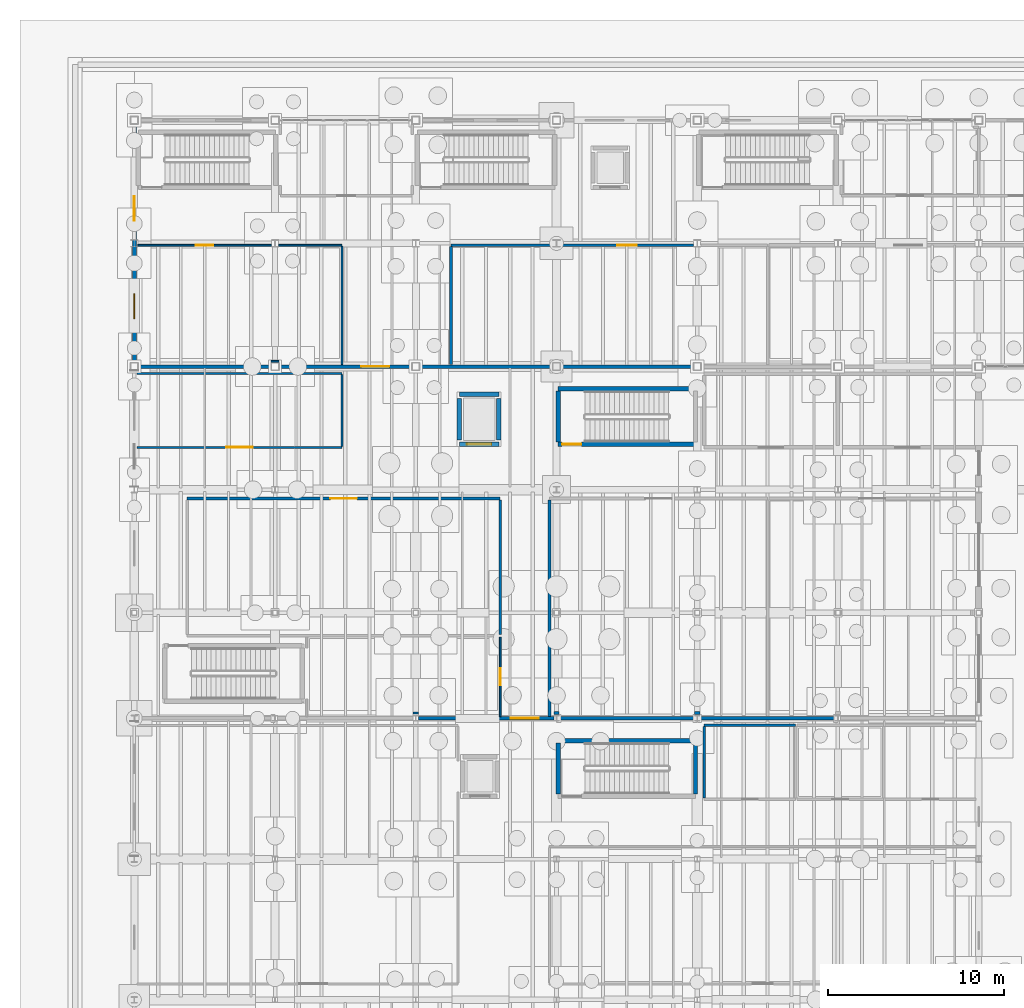
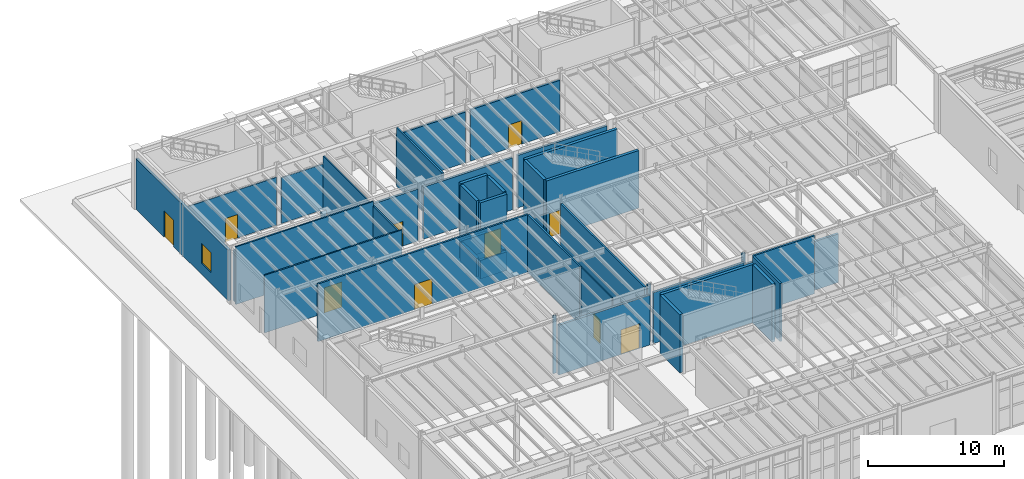
# One storey, part 61 of 86: 41 walls, 10 doors, 1 window, 11 openings.
"""IFC4 building model written with IfcOpenShell, lengths in metres."""

import ifcopenshell
import ifcopenshell.guid

model = None  # the IFC model being written
_history = None  # IfcOwnerHistory: only IFC2X3 demands one
_inside = {}  # id of a spatial element -> (the spatial element, [elements in it])
_under = {}  # id of a project, library or spatial element -> (it, [spatial elements below it])
_declared = {}  # id of a project -> (the project, [libraries it declares])
_typed = {}  # id of a type object -> (the type object, [elements of that type])
_made_of = {}  # id of a material, layer set ... -> (it, [elements and type objects made of it])


def new_model(schema):
    """Start an empty IFC model of exactly this schema.

    Asked for "IFC4X3", IfcOpenShell would pick the latest addendum, in which some entities
    have other attributes; the version numbers below select the first issue.
    IFC2X3 requires an IfcOwnerHistory on every rooted entity: one is made here for all.
    """
    global model, _history
    if schema == "IFC4X3":
        model = ifcopenshell.file(schema_version=(4, 3, 0, 0))
    else:
        model = ifcopenshell.file(schema=schema)
    _inside.clear()
    _under.clear()
    _declared.clear()
    _typed.clear()
    _made_of.clear()
    _history = None
    if model.schema == "IFC2X3":
        org = make("IfcOrganization", Name="unknown")
        user = make(
            "IfcPersonAndOrganization",
            ThePerson=make("IfcPerson", FamilyName="unknown"),
            TheOrganization=org,
        )
        app = make(
            "IfcApplication",
            ApplicationDeveloper=org,
            Version="unknown",
            ApplicationFullName="unknown",
            ApplicationIdentifier="unknown",
        )
        _history = make(
            "IfcOwnerHistory",
            OwningUser=user,
            OwningApplication=app,
            ChangeAction="ADDED",
            CreationDate=0,
        )
    return model


def make(cls, **values):
    """One entity of the class cls with the attributes given. An attribute that is None is left unset."""
    return model.create_entity(
        cls, **{name: value for name, value in values.items() if value is not None}
    )


def rooted(cls, **values):
    """An entity with a GlobalId (a new one), such as an element, a storey or a relation."""
    return make(cls, GlobalId=ifcopenshell.guid.new(), OwnerHistory=_history, **values)


def si_unit(unit_type, name, prefix=None):
    """IfcSIUnit, for example si_unit("LENGTHUNIT", "METRE", prefix="MILLI")."""
    return make("IfcSIUnit", UnitType=unit_type, Prefix=prefix, Name=name)


def assignment(units):
    """IfcUnitAssignment: the units of a project."""
    return None if units is None else make("IfcUnitAssignment", Units=units)


def point(xyz):
    """IfcCartesianPoint."""
    return None if xyz is None else make("IfcCartesianPoint", Coordinates=xyz)


def direction(xyz):
    """IfcDirection."""
    return None if xyz is None else make("IfcDirection", DirectionRatios=xyz)


def frame(location, z_axis=None, x_axis=None):
    """IfcAxis2Placement3D, a coordinate frame: its origin and axes. An axis left out is left unset."""
    return make(
        "IfcAxis2Placement3D",
        Location=point(location),
        Axis=direction(z_axis),
        RefDirection=direction(x_axis),
    )


def frame_2d(location, x_axis=None):
    """IfcAxis2Placement2D, a coordinate frame in the plane: its origin and x axis."""
    return make(
        "IfcAxis2Placement2D", Location=point(location), RefDirection=direction(x_axis)
    )


def origin():
    """The frame at (0, 0, 0) with its axes left unset."""
    return frame((0.0, 0.0, 0.0))


def place(relative_to, where):
    """IfcLocalPlacement: puts the frame where relative to a parent placement (None: the world)."""
    return make(
        "IfcLocalPlacement", PlacementRelTo=relative_to, RelativePlacement=where
    )


def context(
    kind, dimensions, precision=None, world=None, true_north=None, identifier=None
):
    """IfcGeometricRepresentationContext, for example the 3D "Model" context."""
    return make(
        "IfcGeometricRepresentationContext",
        ContextIdentifier=identifier,
        ContextType=kind,
        CoordinateSpaceDimension=dimensions,
        Precision=precision,
        WorldCoordinateSystem=world,
        TrueNorth=true_north,
    )


def subcontext(parent, identifier, kind, view, scale=None):
    """IfcGeometricRepresentationSubContext, for example "Body" below "Model"."""
    return make(
        "IfcGeometricRepresentationSubContext",
        ContextIdentifier=identifier,
        ContextType=kind,
        ParentContext=parent,
        TargetScale=scale,
        TargetView=view,
    )


def project(units=None, contexts=None):
    """IfcProject with its units and contexts."""
    return rooted(
        "IfcProject",
        Name="project",
        RepresentationContexts=contexts,
        UnitsInContext=assignment(units),
    )


def spatial(cls, under=None, at=None, **own):
    """A site, building, storey or space (cls), placed at a placement, below another one or the project."""
    s = rooted(cls, ObjectPlacement=at, **own)
    if under is not None:
        _under.setdefault(under.id(), (under, []))[1].append(s)
    return s


def profile(cls, at=None, kind="AREA", **sizes):
    """A parametric profile (cls). Its sizes go by their IFC names, for example OverallWidth=200.0."""
    return make(cls, ProfileType=kind, Position=at, **sizes)


def rectangle(**sizes):
    """IfcRectangleProfileDef."""
    return profile("IfcRectangleProfileDef", **sizes)


def extrude(swept, where, along, depth):
    """IfcExtrudedAreaSolid: the profile swept, set in the frame where, extruded along a direction by depth."""
    return make(
        "IfcExtrudedAreaSolid",
        SweptArea=swept,
        Position=where,
        ExtrudedDirection=direction(along),
        Depth=depth,
    )


def shape(context_of_items, identifier, shape_type, items):
    """IfcShapeRepresentation: the items that make up one representation, for example the "Body"."""
    return make(
        "IfcShapeRepresentation",
        ContextOfItems=context_of_items,
        RepresentationIdentifier=identifier,
        RepresentationType=shape_type,
        Items=items,
    )


def material(Name=None, Category=None):
    """IfcMaterial."""
    return make("IfcMaterial", Name=Name, Category=Category)


def layer(
    of_material, thickness, ventilated=None, Name=None, Category=None, Priority=None
):
    """IfcMaterialLayer: one layer of a wall or slab, of a material (None: an air gap)."""
    return make(
        "IfcMaterialLayer",
        Material=of_material,
        LayerThickness=thickness,
        IsVentilated=ventilated,
        Name=Name,
        Category=Category,
        Priority=Priority,
    )


def layer_set(layers, Name=None):
    """IfcMaterialLayerSet."""
    return make("IfcMaterialLayerSet", MaterialLayers=layers, LayerSetName=Name)


def made_of(thing, what):
    """Note that an element or type object is made of a material, layer set ...; save() writes the relation."""
    if what is not None:
        _made_of.setdefault(what.id(), (what, []))[1].append(thing)
    return thing


def type_object(cls, material=None, **own):
    """A type object (cls), such as IfcWallType, which elements share."""
    return made_of(rooted(cls, **own), material)


def element(
    cls,
    number,
    at=None,
    inside=None,
    cuts=None,
    type_object=None,
    material=None,
    context=None,
    identifier="Body",
    shape_type=None,
    held_by="IfcProductDefinitionShape",
    body=None,
    shapes=None,
    **own,
):
    """One element of the class cls, such as IfcWall. Its Tag is "e" and its number.

    at: its placement. inside: the storey or other place that contains it. cuts: it is an
    opening in that element (IfcRelVoidsElement). A single representation is given by context,
    identifier, shape_type and body (its items); several are given by shapes. held_by: the class
    of the entity that holds the representations. save() writes the other relations.
    """
    e = rooted(cls, Tag="e%d" % number, ObjectPlacement=at, **own)
    if body is not None:
        shapes = [shape(context, identifier, shape_type, body)]
    if shapes is not None:
        e.Representation = make(held_by, Representations=shapes)
    if inside is not None:
        _inside.setdefault(inside.id(), (inside, []))[1].append(e)
    if cuts is not None:
        rooted(
            "IfcRelVoidsElement", RelatingBuildingElement=cuts, RelatedOpeningElement=e
        )
    if type_object is not None:
        _typed.setdefault(type_object.id(), (type_object, []))[1].append(e)
    return made_of(e, material)


def fill(opening, filler):
    """IfcRelFillsElement: the door or window that sits in an opening."""
    return rooted(
        "IfcRelFillsElement",
        RelatingOpeningElement=opening,
        RelatedBuildingElement=filler,
    )


def aggregate(whole, parts):
    """IfcRelAggregates: a whole, such as a stair, and the parts it consists of."""
    return rooted("IfcRelAggregates", RelatingObject=whole, RelatedObjects=parts)


def save(model, path):
    """Write the relations noted so far, then the file.

    IfcRelAggregates (storeys below a building ...), IfcRelContainedInSpatialStructure (elements
    in a storey), IfcRelDefinesByType, IfcRelAssociatesMaterial and IfcRelDeclares: one each for
    every whole, place, type object, material and project.
    """
    for whole, parts in _under.values():
        aggregate(whole, parts)
    for where, things in _inside.values():
        rooted(
            "IfcRelContainedInSpatialStructure",
            RelatedElements=things,
            RelatingStructure=where,
        )
    for kind, things in _typed.values():
        rooted("IfcRelDefinesByType", RelatedObjects=things, RelatingType=kind)
    for what, things in _made_of.values():
        rooted("IfcRelAssociatesMaterial", RelatedObjects=things, RelatingMaterial=what)
    for by, libraries in _declared.values():
        rooted("IfcRelDeclares", RelatingContext=by, RelatedDefinitions=libraries)
    model.write(path)


model = new_model("IFC4")

# Units and contexts
model_context = context("Model", 3, precision=1e-05, world=origin(), true_north=direction((0.0, 1.0)))
body_context = subcontext(model_context, "Body", "Model", "MODEL_VIEW")
ifc_project = project(units=[si_unit("LENGTHUNIT", "METRE"), si_unit("AREAUNIT", "SQUARE_METRE"), si_unit("VOLUMEUNIT", "CUBIC_METRE"), si_unit("PLANEANGLEUNIT", "RADIAN"), si_unit("MASSUNIT", "GRAM", prefix="KILO"), si_unit("THERMODYNAMICTEMPERATUREUNIT", "KELVIN"), si_unit("POWERUNIT", "WATT")], contexts=[model_context])

# Site, building, storey
site_placement = place(None, origin())
site = spatial("IfcSite", under=ifc_project, at=site_placement, CompositionType="ELEMENT")
building_placement = place(site_placement, origin())
building = spatial("IfcBuilding", under=site, at=building_placement, Name="Zhenchuan Central Fire Station", CompositionType="ELEMENT")
storey_placement = place(building_placement, frame((0.0, 0.0, 0.449951171875)))
storey = spatial("IfcBuildingStorey", under=building, at=storey_placement, Name="L01", CompositionType="ELEMENT", Elevation=0.449951171875)

# Wall, openings, door, window
ifc_material_1 = material(Name="Precast concrete C40/50", Category="concrete")
ifc_layer_1 = layer(ifc_material_1, 0.219970703125, Name="Precast concrete C40/50", Category="concrete")
ifc_layer_set_1 = layer_set([ifc_layer_1], Name="Precast concrete C40/50")
wall_type_1 = type_object("IfcWallType", Name="EW-PRC220", PredefinedType="SOLIDWALL", material=ifc_layer_set_1)
wall_1_placement = place(storey_placement, frame((0.0, 42.72509765625, 0.0), z_axis=(0.0, 0.0, 1.0), x_axis=(0.0, 1.0, 0.0)))
wall_1 = element("IfcWall", 1, at=wall_1_placement, inside=storey, type_object=wall_type_1, Name="EW-L01-V3W", PredefinedType="SOLIDWALL", context=body_context, shape_type="SweptSolid", body=[
    extrude(rectangle(XDim=13.5498046875, YDim=0.219970703125, at=frame_2d((6.77490234375, 0.0))), origin(), (0.0, 0.0, 1.0), 4.5439453125),
])
opening_1_placement = place(wall_1_placement, frame((8.050048828125, 0.0, 0.0)))
opening_1 = element("IfcOpeningElement", 2, at=opening_1_placement, cuts=wall_1, Name="Opening EX-009", PredefinedType="OPENING", context=body_context, shape_type="SweptSolid", body=[
    extrude(rectangle(XDim=1.39990234375, YDim=2.35009765625, at=frame_2d((0.699951171875, 1.175048828125))), frame((0.0, 0.119873046875, 0.0), z_axis=(0.0, -1.0, 0.0), x_axis=(1.0, 0.0, 0.0)), (0.0, 0.0, 1.0), 0.239990234375),
])
opening_2_placement = place(wall_1_placement, frame((2.5, 0.0, 1.0)))
opening_2 = element("IfcOpeningElement", 3, at=opening_2_placement, cuts=wall_1, Name="Opening W-23", PredefinedType="OPENING", context=body_context, shape_type="SweptSolid", body=[
    extrude(rectangle(XDim=1.39990234375, YDim=1.800048828125, at=frame_2d((0.699951171875, 0.89990234375))), frame((0.0, 0.119873046875, 0.0), z_axis=(0.0, -1.0, 0.0), x_axis=(1.0, 0.0, 0.0)), (0.0, 0.0, 1.0), 0.239990234375),
])
ifc_material_2 = material(Name="Powder-coated steel fire exit door", Category="steel")
door_type_1 = type_object("IfcDoorType", Name="ED-140x235", OperationType="NOTDEFINED", PredefinedType="DOOR", material=ifc_material_2)
door_1_placement = place(opening_1_placement, origin())
door_1 = element("IfcDoor", 4, at=door_1_placement, inside=storey, type_object=door_type_1, Name="Crew West Turnout Exit", OperationType="SINGLE_SWING_RIGHT", OverallHeight=2.35009765625, OverallWidth=1.39990234375, PredefinedType="DOOR", context=body_context, shape_type="SweptSolid", body=[
    extrude(rectangle(XDim=1.39990234375, YDim=2.35009765625, at=frame_2d((0.699951171875, 1.175048828125))), frame((0.0, 0.02490234375, 0.0), z_axis=(0.0, -1.0, 0.0), x_axis=(1.0, 0.0, 0.0)), (0.0, 0.0, 1.0), 0.050048828125),
])
fill(opening_1, door_1)
ifc_material_3 = material(Name="Laminated low-E double glazing in aluminium frame", Category="aluminium")
window_type = type_object("IfcWindowType", Name="WN-23", PartitioningType="SINGLE_PANEL", PredefinedType="WINDOW", material=ifc_material_3)
window_placement = place(opening_2_placement, origin())
window = element("IfcWindow", 5, at=window_placement, inside=storey, type_object=window_type, Name="Exterior Window 0051", OverallHeight=1.800048828125, OverallWidth=1.39990234375, PartitioningType="SINGLE_PANEL", PredefinedType="WINDOW", context=body_context, shape_type="SweptSolid", body=[
    extrude(rectangle(XDim=1.39990234375, YDim=1.800048828125, at=frame_2d((0.699951171875, 0.89990234375))), frame((0.0, 0.030029296875, 0.0), z_axis=(0.0, -1.0, 0.0), x_axis=(1.0, 0.0, 0.0)), (0.0, 0.0, 1.0), 0.06005859375),
])
fill(opening_2, window)

# Walls
ifc_material_4 = material(Name="Autoclaved aerated concrete blockwork", Category="masonry")
ifc_layer_2 = layer(ifc_material_4, 0.14990234375, Name="Autoclaved aerated concrete blockwork", Category="masonry")
ifc_layer_set_2 = layer_set([ifc_layer_2], Name="Autoclaved aerated concrete blockwork")
wall_type_2 = type_object("IfcWallType", Name="IW-BLK150", PredefinedType="PARTITIONING", material=ifc_layer_set_2)
wall_2_placement = place(storey_placement, frame((32.39990234375, 22.10009765625, 0.0), z_axis=(0.0, 0.0, 1.0), x_axis=(1.0, 0.0, 0.0)))
element("IfcWall", 6, at=wall_2_placement, inside=storey, type_object=wall_type_2, Name="Public Male WC N Partition", PredefinedType="PARTITIONING", context=body_context, shape_type="SweptSolid", body=[
    extrude(rectangle(XDim=5.2001953125, YDim=0.14990234375, at=frame_2d((2.60009765625, 0.0))), origin(), (0.0, 0.0, 1.0), 5.199951171875),
])
wall_3_placement = place(storey_placement, frame((32.39990234375, 17.97802734375, 0.0), z_axis=(0.0, 0.0, 1.0), x_axis=(0.0, 1.0, 0.0)))
element("IfcWall", 7, at=wall_3_placement, inside=storey, type_object=wall_type_2, Name="Public Male WC W Partition", PredefinedType="PARTITIONING", context=body_context, shape_type="SweptSolid", body=[
    extrude(rectangle(XDim=4.0439453125, YDim=0.14990234375, at=frame_2d((2.02197265625, 0.0))), origin(), (0.0, 0.0, 1.0), 5.199951171875),
])

# Wall, opening, door
wall_4_placement = place(storey_placement, frame((3.0, 35.0, 0.0), z_axis=(0.0, 0.0, 1.0), x_axis=(1.0, 0.0, 0.0)))
wall_4 = element("IfcWall", 8, at=wall_4_placement, inside=storey, type_object=wall_type_2, Name="Hose Washing and Testing Workshop N Partition", PredefinedType="PARTITIONING", context=body_context, shape_type="SweptSolid", body=[
    extrude(rectangle(XDim=17.800048828125, YDim=0.14990234375, at=frame_2d((8.89990234375, 0.0))), origin(), (0.0, 0.0, 1.0), 5.16015625),
])
opening_3_placement = place(wall_4_placement, frame((8.14990234375, 0.0, 0.0)))
opening_3 = element("IfcOpeningElement", 9, at=opening_3_placement, cuts=wall_4, Name="Opening D-073", PredefinedType="OPENING", context=body_context, shape_type="SweptSolid", body=[
    extrude(rectangle(XDim=1.5, YDim=2.25, at=frame_2d((0.75, 1.125))), frame((0.0, 0.0849609375, 0.0), z_axis=(0.0, -1.0, 0.0), x_axis=(1.0, 0.0, 0.0)), (0.0, 0.0, 1.0), 0.169921875),
])
ifc_material_5 = material(Name="Powder-coated steel workshop door", Category="steel")
door_type_2 = type_object("IfcDoorType", Name="ID-WKS-150x225", OperationType="NOTDEFINED", PredefinedType="DOOR", material=ifc_material_5)
door_2_placement = place(opening_3_placement, origin())
door_2 = element("IfcDoor", 10, at=door_2_placement, inside=storey, type_object=door_type_2, Name="Hose Washing and Testing Workshop Door", OperationType="SINGLE_SWING_LEFT", OverallHeight=2.25, OverallWidth=1.5, PredefinedType="DOOR", context=body_context, shape_type="SweptSolid", body=[
    extrude(rectangle(XDim=1.5, YDim=2.25, at=frame_2d((0.75, 1.125))), frame((0.0, 0.02490234375, 0.0), z_axis=(0.0, -1.0, 0.0), x_axis=(1.0, 0.0, 0.0)), (0.0, 0.0, 1.0), 0.050048828125),
])
fill(opening_3, door_2)

# Walls
wall_5_placement = place(storey_placement, frame((20.800048828125, 27.278076171875, 0.0), z_axis=(0.0, 0.0, 1.0), x_axis=(0.0, 1.0, 0.0)))
element("IfcWall", 11, at=wall_5_placement, inside=storey, type_object=wall_type_2, Name="Hose Washing and Testing Workshop E Partition", PredefinedType="PARTITIONING", context=body_context, shape_type="SweptSolid", body=[
    extrude(rectangle(XDim=7.64404296875, YDim=0.14990234375, at=frame_2d((3.822021484375, 0.0))), origin(), (0.0, 0.0, 1.0), 5.16015625),
])
for number, where, z_axis, x_axis, name in (
    (12, (23.85107421875, 22.800048828125, 0.0), (0.0, 0.0, 1.0), (1.0, 0.0, 0.0), "Heavy Fleet Maintenance Workshop S Partition 1"),
    (13, (31.85107421875, 22.800048828125, 0.0), (0.0, 0.0, 1.0), (1.0, 0.0, 0.0), "Heavy Fleet Maintenance Workshop S Partition 2"),
):
    element("IfcWall", number, at=place(storey_placement, frame(where, z_axis=z_axis, x_axis=x_axis)), inside=storey, type_object=wall_type_2, Name=name, PredefinedType="PARTITIONING", context=body_context, shape_type="SweptSolid", body=[
        extrude(rectangle(XDim=0.2978515625, YDim=0.14990234375, at=frame_2d((0.14892578125, 0.0))), origin(), (0.0, 0.0, 1.0), 5.16015625),
    ])
wall_6_placement = place(storey_placement, frame((23.60009765625, 22.60302734375, 0.0), z_axis=(0.0, 0.0, 1.0), x_axis=(0.0, 1.0, 0.0)))
element("IfcWall", 14, at=wall_6_placement, inside=storey, type_object=wall_type_2, Name="Heavy Fleet Maintenance Workshop W Partition", PredefinedType="PARTITIONING", context=body_context, shape_type="SweptSolid", body=[
    extrude(rectangle(XDim=12.319091796875, YDim=0.14990234375, at=frame_2d((6.15966796875, 0.0))), origin(), (0.0, 0.0, 1.0), 5.16015625),
])
wall_7_placement = place(storey_placement, frame((18.0, 49.39990234375, 0.0), z_axis=(0.0, 0.0, 1.0), x_axis=(1.0, 0.0, 0.0)))
element("IfcWall", 15, at=wall_7_placement, inside=storey, type_object=wall_type_2, Name="Decontamination and Gear Laundry Room N Partition 1", PredefinedType="PARTITIONING", context=body_context, shape_type="SweptSolid", body=[
    extrude(rectangle(XDim=5.797119140625, YDim=0.14990234375, at=frame_2d((2.8984375, 0.0))), origin(), (0.0, 0.0, 1.0), 4.5439453125),
])

# Wall, opening, door
wall_8_placement = place(storey_placement, frame((24.202880859375, 49.39990234375, 0.0), z_axis=(0.0, 0.0, 1.0), x_axis=(1.0, 0.0, 0.0)))
wall_8 = element("IfcWall", 16, at=wall_8_placement, inside=storey, type_object=wall_type_2, Name="Decontamination and Gear Laundry Room N Partition 2", PredefinedType="PARTITIONING", context=body_context, shape_type="SweptSolid", body=[
    extrude(rectangle(XDim=7.59423828125, YDim=0.14990234375, at=frame_2d((3.797119140625, 0.0))), origin(), (0.0, 0.0, 1.0), 4.593994140625),
])
opening_4_placement = place(wall_8_placement, frame((3.237060546875, 0.0, 0.0)))
opening_4 = element("IfcOpeningElement", 17, at=opening_4_placement, cuts=wall_8, Name="Opening D-081", PredefinedType="OPENING", context=body_context, shape_type="SweptSolid", body=[
    extrude(rectangle(XDim=1.1201171875, YDim=2.10009765625, at=frame_2d((0.56005859375, 1.050048828125))), frame((0.0, 0.0849609375, 0.0), z_axis=(0.0, -1.0, 0.0), x_axis=(1.0, 0.0, 0.0)), (0.0, 0.0, 1.0), 0.169921875),
])
ifc_material_6 = material(Name="Hygienic laminate medical/decon door")
door_type_3 = type_object("IfcDoorType", Name="ID-MED-112x210", OperationType="NOTDEFINED", PredefinedType="DOOR", material=ifc_material_6)
door_3_placement = place(opening_4_placement, origin())
door_3 = element("IfcDoor", 18, at=door_3_placement, inside=storey, type_object=door_type_3, Name="Decontamination and Gear Laundry Room Door", OperationType="SINGLE_SWING_LEFT", OverallHeight=2.10009765625, OverallWidth=1.1201171875, PredefinedType="DOOR", context=body_context, shape_type="SweptSolid", body=[
    extrude(rectangle(XDim=1.1201171875, YDim=2.10009765625, at=frame_2d((0.56005859375, 1.050048828125))), frame((0.0, 0.02490234375, 0.0), z_axis=(0.0, -1.0, 0.0), x_axis=(1.0, 0.0, 0.0)), (0.0, 0.0, 1.0), 0.050048828125),
])
fill(opening_4, door_3)

# Wall
wall_9_placement = place(storey_placement, frame((18.0, 42.60302734375, 0.0), z_axis=(0.0, 0.0, 1.0), x_axis=(0.0, 1.0, 0.0)))
element("IfcWall", 19, at=wall_9_placement, inside=storey, type_object=wall_type_2, Name="Decontamination and Gear Laundry Room W Partition", PredefinedType="PARTITIONING", context=body_context, shape_type="SweptSolid", body=[
    extrude(rectangle(XDim=6.718994140625, YDim=0.14990234375, at=frame_2d((3.359375, 0.0))), origin(), (0.0, 0.0, 1.0), 5.199951171875),
])

# Wall, opening, door
ifc_layer_3 = layer(ifc_material_4, 0.199951171875, Name="Autoclaved aerated concrete blockwork", Category="masonry")
ifc_layer_set_3 = layer_set([ifc_layer_3], Name="Autoclaved aerated concrete blockwork")
wall_type_3 = type_object("IfcWallType", Name="IW-FIR200", PredefinedType="PARTITIONING", material=ifc_layer_set_3)
wall_10_placement = place(storey_placement, frame((16.152099609375, 22.5, 0.0), z_axis=(0.0, 0.0, 1.0), x_axis=(1.0, 0.0, 0.0)))
wall_10 = element("IfcWall", 20, at=wall_10_placement, inside=storey, type_object=wall_type_3, Name="L01 Gallery-Workshop Fire Compartment Wall X=16..24", PredefinedType="PARTITIONING", context=body_context, shape_type="SweptSolid", body=[
    extrude(rectangle(XDim=7.69580078125, YDim=0.199951171875, at=frame_2d((3.847900390625, 0.0))), origin(), (0.0, 0.0, 1.0), 4.4541015625),
])
opening_5_placement = place(wall_10_placement, frame((5.248046875, 0.0, 0.0)))
opening_5 = element("IfcOpeningElement", 21, at=opening_5_placement, cuts=wall_10, Name="Opening D-042", PredefinedType="OPENING", context=body_context, shape_type="SweptSolid", body=[
    extrude(rectangle(XDim=1.60009765625, YDim=2.199951171875, at=frame_2d((0.800048828125, 1.10009765625))), frame((0.0, 0.10986328125, 0.0), z_axis=(0.0, -1.0, 0.0), x_axis=(1.0, 0.0, 0.0)), (0.0, 0.0, 1.0), 0.219970703125),
])
ifc_material_7 = material(Name="Glazed timber double corridor fire door", Category="wood")
door_type_4 = type_object("IfcDoorType", Name="ID-COR-160x220", OperationType="NOTDEFINED", PredefinedType="DOOR", material=ifc_material_7)
door_4_placement = place(opening_5_placement, origin())
door_4 = element("IfcDoor", 22, at=door_4_placement, inside=storey, type_object=door_type_4, Name="V5-V4 Ground Link Fire Door", OperationType="SINGLE_SWING_RIGHT", OverallHeight=2.199951171875, OverallWidth=1.60009765625, PredefinedType="DOOR", context=body_context, shape_type="SweptSolid", body=[
    extrude(rectangle(XDim=1.60009765625, YDim=2.199951171875, at=frame_2d((0.800048828125, 1.10009765625))), frame((0.0, 0.02490234375, 0.0), z_axis=(0.0, -1.0, 0.0), x_axis=(1.0, 0.0, 0.0)), (0.0, 0.0, 1.0), 0.050048828125),
])
fill(opening_5, door_4)

# Walls
wall_11_placement = place(storey_placement, frame((24.152099609375, 22.5, 0.0), z_axis=(0.0, 0.0, 1.0), x_axis=(1.0, 0.0, 0.0)))
element("IfcWall", 23, at=wall_11_placement, inside=storey, type_object=wall_type_3, Name="L01 Gallery-Workshop Fire Compartment Wall X=24..32", PredefinedType="PARTITIONING", context=body_context, shape_type="SweptSolid", body=[
    extrude(rectangle(XDim=7.69580078125, YDim=0.199951171875, at=frame_2d((3.847900390625, 0.0))), origin(), (0.0, 0.0, 1.0), 4.566162109375),
])
wall_12_placement = place(storey_placement, frame((32.152099609375, 22.5, 0.0), z_axis=(0.0, 0.0, 1.0), x_axis=(1.0, 0.0, 0.0)))
element("IfcWall", 24, at=wall_12_placement, inside=storey, type_object=wall_type_3, Name="L01 Gallery-Workshop Fire Compartment Wall X=32..40", PredefinedType="PARTITIONING", context=body_context, shape_type="SweptSolid", body=[
    extrude(rectangle(XDim=7.69580078125, YDim=0.199951171875, at=frame_2d((3.847900390625, 0.0))), origin(), (0.0, 0.0, 1.0), 4.35400390625),
])
wall_13_placement = place(storey_placement, frame((0.22705078125, 42.5, 0.0), z_axis=(0.0, 0.0, 1.0), x_axis=(1.0, 0.0, 0.0)))
element("IfcWall", 25, at=wall_13_placement, inside=storey, type_object=wall_type_3, Name="L01 Workshop-Crew Fire Compartment Wall X=0..8", PredefinedType="PARTITIONING", context=body_context, shape_type="SweptSolid", body=[
    extrude(rectangle(XDim=7.5458984375, YDim=0.199951171875, at=frame_2d((3.77294921875, 0.0))), origin(), (0.0, 0.0, 1.0), 4.553955078125),
])

# Wall, opening, door
wall_14_placement = place(storey_placement, frame((8.22705078125, 42.5, 0.0), z_axis=(0.0, 0.0, 1.0), x_axis=(1.0, 0.0, 0.0)))
wall_14 = element("IfcWall", 26, at=wall_14_placement, inside=storey, type_object=wall_type_3, Name="L01 Workshop-Crew Fire Compartment Wall X=8..16", PredefinedType="PARTITIONING", context=body_context, shape_type="SweptSolid", body=[
    extrude(rectangle(XDim=7.5458984375, YDim=0.199951171875, at=frame_2d((3.77294921875, 0.0))), origin(), (0.0, 0.0, 1.0), 4.654052734375),
])
opening_6_placement = place(wall_14_placement, frame((4.673095703125, 0.0, 0.0)))
opening_6 = element("IfcOpeningElement", 27, at=opening_6_placement, cuts=wall_14, Name="Opening D-043", PredefinedType="OPENING", context=body_context, shape_type="SweptSolid", body=[
    extrude(rectangle(XDim=1.60009765625, YDim=2.199951171875, at=frame_2d((0.800048828125, 1.10009765625))), frame((0.0, 0.10986328125, 0.0), z_axis=(0.0, -1.0, 0.0), x_axis=(1.0, 0.0, 0.0)), (0.0, 0.0, 1.0), 0.219970703125),
])
door_5_placement = place(opening_6_placement, origin())
door_5 = element("IfcDoor", 28, at=door_5_placement, inside=storey, type_object=door_type_4, Name="V4-V3 Ground Link Fire Door", OperationType="SINGLE_SWING_LEFT", OverallHeight=2.199951171875, OverallWidth=1.60009765625, PredefinedType="DOOR", context=body_context, shape_type="SweptSolid", body=[
    extrude(rectangle(XDim=1.60009765625, YDim=2.199951171875, at=frame_2d((0.800048828125, 1.10009765625))), frame((0.0, 0.02490234375, 0.0), z_axis=(0.0, -1.0, 0.0), x_axis=(1.0, 0.0, 0.0)), (0.0, 0.0, 1.0), 0.050048828125),
])
fill(opening_6, door_5)

# Walls
wall_15_placement = place(storey_placement, frame((16.22705078125, 42.5, 0.0), z_axis=(0.0, 0.0, 1.0), x_axis=(1.0, 0.0, 0.0)))
element("IfcWall", 29, at=wall_15_placement, inside=storey, type_object=wall_type_3, Name="L01 Workshop-Crew Fire Compartment Wall X=16..24", PredefinedType="PARTITIONING", context=body_context, shape_type="SweptSolid", body=[
    extrude(rectangle(XDim=7.5458984375, YDim=0.199951171875, at=frame_2d((3.77294921875, 0.0))), origin(), (0.0, 0.0, 1.0), 4.654052734375),
])
wall_16_placement = place(storey_placement, frame((24.22705078125, 42.5, 0.0), z_axis=(0.0, 0.0, 1.0), x_axis=(1.0, 0.0, 0.0)))
element("IfcWall", 30, at=wall_16_placement, inside=storey, type_object=wall_type_3, Name="L01 Workshop-Crew Fire Compartment Wall X=24..32", PredefinedType="PARTITIONING", context=body_context, shape_type="SweptSolid", body=[
    extrude(rectangle(XDim=7.5458984375, YDim=0.199951171875, at=frame_2d((3.77294921875, 0.0))), origin(), (0.0, 0.0, 1.0), 4.7041015625),
])
ifc_material_8 = material(Name="Gypsum plasterboard on steel studs", Category="gypsum")
ifc_layer_4 = layer(ifc_material_8, 0.10009765625, Name="Gypsum plasterboard on steel studs", Category="gypsum")
ifc_layer_set_4 = layer_set([ifc_layer_4], Name="Gypsum plasterboard on steel studs")
wall_type_4 = type_object("IfcWallType", Name="IW-GYP100", PredefinedType="PARTITIONING", material=ifc_layer_set_4)
wall_17_placement = place(storey_placement, frame((15.85107421875, 22.800048828125, 0.0), z_axis=(0.0, 0.0, 1.0), x_axis=(1.0, 0.0, 0.0)))
element("IfcWall", 31, at=wall_17_placement, inside=storey, type_object=wall_type_4, Name="Fleet Tool and Lubricant Store S Partition", PredefinedType="PARTITIONING", context=body_context, shape_type="SweptSolid", body=[
    extrude(rectangle(XDim=0.2978515625, YDim=0.10009765625, at=frame_2d((0.14892578125, 0.0))), origin(), (0.0, 0.0, 1.0), 5.16015625),
])

# Wall, opening, door
wall_18_placement = place(storey_placement, frame((20.800048828125, 22.60302734375, 0.0), z_axis=(0.0, 0.0, 1.0), x_axis=(0.0, 1.0, 0.0)))
wall_18 = element("IfcWall", 32, at=wall_18_placement, inside=storey, type_object=wall_type_4, Name="Fleet Tool and Lubricant Store E Partition", PredefinedType="PARTITIONING", context=body_context, shape_type="SweptSolid", body=[
    extrude(rectangle(XDim=4.51904296875, YDim=0.10009765625, at=frame_2d((2.259521484375, 0.0))), origin(), (0.0, 0.0, 1.0), 5.16015625),
])
opening_7_placement = place(wall_18_placement, frame((1.784423828125, 0.0, 0.0)))
opening_7 = element("IfcOpeningElement", 33, at=opening_7_placement, cuts=wall_18, Name="Opening D-074", PredefinedType="OPENING", context=body_context, shape_type="SweptSolid", body=[
    extrude(rectangle(XDim=0.949951171875, YDim=2.10009765625, at=frame_2d((0.47509765625, 1.050048828125))), frame((0.0, 0.06005859375, 0.0), z_axis=(0.0, -1.0, 0.0), x_axis=(1.0, 0.0, 0.0)), (0.0, 0.0, 1.0), 0.1201171875),
])
ifc_material_9 = material(Name="Painted steel store room fire door", Category="steel")
door_type_5 = type_object("IfcDoorType", Name="ID-STR-095x210", OperationType="NOTDEFINED", PredefinedType="DOOR", material=ifc_material_9)
door_6_placement = place(opening_7_placement, origin())
door_6 = element("IfcDoor", 34, at=door_6_placement, inside=storey, type_object=door_type_5, Name="Fleet Tool and Lubricant Store Door", OperationType="SINGLE_SWING_RIGHT", OverallHeight=2.10009765625, OverallWidth=0.949951171875, PredefinedType="DOOR", context=body_context, shape_type="SweptSolid", body=[
    extrude(rectangle(XDim=0.949951171875, YDim=2.10009765625, at=frame_2d((0.47509765625, 1.050048828125))), frame((0.0, 0.02490234375, 0.0), z_axis=(0.0, -1.0, 0.0), x_axis=(1.0, 0.0, 0.0)), (0.0, 0.0, 1.0), 0.050048828125),
])
fill(opening_7, door_6)

# Wall
wall_19_placement = place(storey_placement, frame((7.77587890625, 42.800048828125, 0.0), z_axis=(0.0, 0.0, 1.0), x_axis=(1.0, 0.0, 0.0)))
element("IfcWall", 35, at=wall_19_placement, inside=storey, type_object=wall_type_4, Name="Crew Mess and Dining Hall S Partition", PredefinedType="PARTITIONING", context=body_context, shape_type="SweptSolid", body=[
    extrude(rectangle(XDim=0.4482421875, YDim=0.10009765625, at=frame_2d((0.22412109375, 0.0))), origin(), (0.0, 0.0, 1.0), 5.199951171875),
])

# Wall, opening, door
wall_20_placement = place(storey_placement, frame((0.202880859375, 49.39990234375, 0.0), z_axis=(0.0, 0.0, 1.0), x_axis=(1.0, 0.0, 0.0)))
wall_20 = element("IfcWall", 36, at=wall_20_placement, inside=storey, type_object=wall_type_4, Name="Crew Mess and Dining Hall N Partition 1", PredefinedType="PARTITIONING", context=body_context, shape_type="SweptSolid", body=[
    extrude(rectangle(XDim=7.59423828125, YDim=0.10009765625, at=frame_2d((3.797119140625, 0.0))), origin(), (0.0, 0.0, 1.0), 4.2939453125),
])
opening_8_placement = place(wall_20_placement, frame((3.297119140625, 0.0, 0.0)))
opening_8 = element("IfcOpeningElement", 37, at=opening_8_placement, cuts=wall_20, Name="Opening D-080", PredefinedType="OPENING", context=body_context, shape_type="SweptSolid", body=[
    extrude(rectangle(XDim=1.0, YDim=2.10009765625, at=frame_2d((0.5, 1.050048828125))), frame((0.0, 0.06005859375, 0.0), z_axis=(0.0, -1.0, 0.0), x_axis=(1.0, 0.0, 0.0)), (0.0, 0.0, 1.0), 0.1201171875),
])
ifc_material_10 = material(Name="Solid-core timber office door", Category="wood")
door_type_6 = type_object("IfcDoorType", Name="ID-OFF-100x210", OperationType="NOTDEFINED", PredefinedType="DOOR", material=ifc_material_10)
door_7_placement = place(opening_8_placement, origin())
door_7 = element("IfcDoor", 38, at=door_7_placement, inside=storey, type_object=door_type_6, Name="Crew Mess and Dining Hall Door", OperationType="SINGLE_SWING_RIGHT", OverallHeight=2.10009765625, OverallWidth=1.0, PredefinedType="DOOR", context=body_context, shape_type="SweptSolid", body=[
    extrude(rectangle(XDim=1.0, YDim=2.10009765625, at=frame_2d((0.5, 1.050048828125))), frame((0.0, 0.02490234375, 0.0), z_axis=(0.0, -1.0, 0.0), x_axis=(1.0, 0.0, 0.0)), (0.0, 0.0, 1.0), 0.050048828125),
])
fill(opening_8, door_7)

# Walls
wall_21_placement = place(storey_placement, frame((8.202880859375, 49.39990234375, 0.0), z_axis=(0.0, 0.0, 1.0), x_axis=(1.0, 0.0, 0.0)))
element("IfcWall", 39, at=wall_21_placement, inside=storey, type_object=wall_type_4, Name="Crew Mess and Dining Hall N Partition 2", PredefinedType="PARTITIONING", context=body_context, shape_type="SweptSolid", body=[
    extrude(rectangle(XDim=3.59716796875, YDim=0.10009765625, at=frame_2d((1.798583984375, 0.0))), origin(), (0.0, 0.0, 1.0), 4.093994140625),
])
wall_22_placement = place(storey_placement, frame((11.800048828125, 42.60302734375, 0.0), z_axis=(0.0, 0.0, 1.0), x_axis=(0.0, 1.0, 0.0)))
element("IfcWall", 40, at=wall_22_placement, inside=storey, type_object=wall_type_4, Name="Crew Mess and Dining Hall E Partition", PredefinedType="PARTITIONING", context=body_context, shape_type="SweptSolid", body=[
    extrude(rectangle(XDim=6.743896484375, YDim=0.10009765625, at=frame_2d((3.3720703125, 0.0))), origin(), (0.0, 0.0, 1.0), 4.803955078125),
])

# Wall, opening, door
ifc_layer_5 = layer(ifc_material_8, 0.1201171875, Name="Gypsum plasterboard on steel studs", Category="gypsum")
ifc_layer_set_5 = layer_set([ifc_layer_5], Name="Gypsum plasterboard on steel studs")
wall_type_5 = type_object("IfcWallType", Name="IW-GYP120", PredefinedType="PARTITIONING", material=ifc_layer_set_5)
wall_23_placement = place(storey_placement, frame((0.153076171875, 37.89990234375, 0.0), z_axis=(0.0, 0.0, 1.0), x_axis=(1.0, 0.0, 0.0)))
wall_23 = element("IfcWall", 41, at=wall_23_placement, inside=storey, type_object=wall_type_5, Name="Turnout Gear and Spare Parts Store S Partition", PredefinedType="PARTITIONING", context=body_context, shape_type="SweptSolid", body=[
    extrude(rectangle(XDim=11.64697265625, YDim=0.1201171875, at=frame_2d((5.823486328125, 0.0))), origin(), (0.0, 0.0, 1.0), 5.16015625),
])
opening_9_placement = place(wall_23_placement, frame((5.073486328125, 0.0, 0.0)))
opening_9 = element("IfcOpeningElement", 42, at=opening_9_placement, cuts=wall_23, Name="Opening D-077", PredefinedType="OPENING", context=body_context, shape_type="SweptSolid", body=[
    extrude(rectangle(XDim=1.5, YDim=2.25, at=frame_2d((0.75, 1.125))), frame((0.0, 0.070068359375, 0.0), z_axis=(0.0, -1.0, 0.0), x_axis=(1.0, 0.0, 0.0)), (0.0, 0.0, 1.0), 0.14013671875),
])
door_8_placement = place(opening_9_placement, origin())
door_8 = element("IfcDoor", 43, at=door_8_placement, inside=storey, type_object=door_type_2, Name="Turnout Gear and Spare Parts Store Door", OperationType="SINGLE_SWING_LEFT", OverallHeight=2.25, OverallWidth=1.5, PredefinedType="DOOR", context=body_context, shape_type="SweptSolid", body=[
    extrude(rectangle(XDim=1.5, YDim=2.25, at=frame_2d((0.75, 1.125))), frame((0.0, 0.02490234375, 0.0), z_axis=(0.0, -1.0, 0.0), x_axis=(1.0, 0.0, 0.0)), (0.0, 0.0, 1.0), 0.050048828125),
])
fill(opening_9, door_8)

# Walls
wall_24_placement = place(storey_placement, frame((0.153076171875, 42.10009765625, 0.0), z_axis=(0.0, 0.0, 1.0), x_axis=(1.0, 0.0, 0.0)))
element("IfcWall", 44, at=wall_24_placement, inside=storey, type_object=wall_type_5, Name="Turnout Gear and Spare Parts Store N Partition", PredefinedType="PARTITIONING", context=body_context, shape_type="SweptSolid", body=[
    extrude(rectangle(XDim=11.64697265625, YDim=0.1201171875, at=frame_2d((5.823486328125, 0.0))), origin(), (0.0, 0.0, 1.0), 5.16015625),
])
wall_25_placement = place(storey_placement, frame((11.800048828125, 37.962890625, 0.0), z_axis=(0.0, 0.0, 1.0), x_axis=(0.0, 1.0, 0.0)))
element("IfcWall", 45, at=wall_25_placement, inside=storey, type_object=wall_type_5, Name="Turnout Gear and Spare Parts Store E Partition", PredefinedType="PARTITIONING", context=body_context, shape_type="SweptSolid", body=[
    extrude(rectangle(XDim=4.07421875, YDim=0.1201171875, at=frame_2d((2.037109375, 0.0))), origin(), (0.0, 0.0, 1.0), 4.754150390625),
])
ifc_material_11 = material(Name="Concrete C40/50", Category="concrete")
ifc_layer_6 = layer(ifc_material_11, 0.25, Name="Concrete C40/50", Category="concrete")
ifc_layer_set_6 = layer_set([ifc_layer_6], Name="Concrete C40/50")
wall_type_6 = type_object("IfcWallType", Name="IW-SHR250", PredefinedType="SHEAR", material=ifc_layer_set_6)
wall_26_placement = place(storey_placement, frame((24.094970703125, 21.22509765625, 0.0), z_axis=(0.0, 0.0, 1.0), x_axis=(1.0, 0.0, 0.0)))
element("IfcWall", 46, at=wall_26_placement, inside=storey, type_object=wall_type_6, Name="ST-02 L01 North Core Wall", PredefinedType="SHEAR", context=body_context, shape_type="SweptSolid", body=[
    extrude(rectangle(XDim=7.81005859375, YDim=0.25, at=frame_2d((3.905029296875, 0.0))), origin(), (0.0, 0.0, 1.0), 5.199951171875),
])
for number, where, z_axis, x_axis, name in (
    (47, (24.094970703125, 18.199951171875, 0.0), (0.0, 0.0, 1.0), (0.0, 1.0, 0.0), "ST-02 L01 West Core Wall"),
    (48, (31.905029296875, 18.199951171875, 0.0), (0.0, 0.0, 1.0), (0.0, 1.0, 0.0), "ST-02 L01 East Core Wall"),
):
    element("IfcWall", number, at=place(storey_placement, frame(where, z_axis=z_axis, x_axis=x_axis)), inside=storey, type_object=wall_type_6, Name=name, PredefinedType="SHEAR", context=body_context, shape_type="SweptSolid", body=[
        extrude(rectangle(XDim=2.900146484375, YDim=0.25, at=frame_2d((1.4501953125, 0.0))), origin(), (0.0, 0.0, 1.0), 5.199951171875),
    ])

# Wall, opening, door
wall_27_placement = place(storey_placement, frame((24.094970703125, 38.074951171875, 0.0), z_axis=(0.0, 0.0, 1.0), x_axis=(1.0, 0.0, 0.0)))
wall_27 = element("IfcWall", 49, at=wall_27_placement, inside=storey, type_object=wall_type_6, Name="ST-04 L01 South Core Wall", PredefinedType="SHEAR", context=body_context, shape_type="SweptSolid", body=[
    extrude(rectangle(XDim=7.81005859375, YDim=0.25, at=frame_2d((3.905029296875, 0.0))), origin(), (0.0, 0.0, 1.0), 5.16015625),
])
opening_10_placement = place(wall_27_placement, frame((0.219970703125, 0.0, 0.0)))
opening_10 = element("IfcOpeningElement", 50, at=opening_10_placement, cuts=wall_27, Name="Opening D-007", PredefinedType="OPENING", context=body_context, shape_type="SweptSolid", body=[
    extrude(rectangle(XDim=1.10009765625, YDim=2.14990234375, at=frame_2d((0.550048828125, 1.074951171875))), frame((0.0, 0.135009765625, 0.0), z_axis=(0.0, -1.0, 0.0), x_axis=(1.0, 0.0, 0.0)), (0.0, 0.0, 1.0), 0.27001953125),
])
ifc_material_12 = material(Name="Painted steel acoustic fire door", Category="steel")
door_type_7 = type_object("IfcDoorType", Name="ID-ST-110x215", OperationType="NOTDEFINED", PredefinedType="DOOR", material=ifc_material_12)
door_9_placement = place(opening_10_placement, frame((1.10009765625, 0.0, 0.0), z_axis=(0.0, 0.0, 1.0), x_axis=(-1.0, 0.0, 0.0)))
door_9 = element("IfcDoor", 51, at=door_9_placement, inside=storey, type_object=door_type_7, Name="ST-04 L01 Fire Door", OperationType="SINGLE_SWING_LEFT", OverallHeight=2.14990234375, OverallWidth=1.10009765625, PredefinedType="DOOR", context=body_context, shape_type="SweptSolid", body=[
    extrude(rectangle(XDim=1.10009765625, YDim=2.14990234375, at=frame_2d((0.550048828125, 1.074951171875))), frame((0.0, 0.02490234375, 0.0), z_axis=(0.0, -1.0, 0.0), x_axis=(1.0, 0.0, 0.0)), (0.0, 0.0, 1.0), 0.050048828125),
])
fill(opening_10, door_9)

# Walls
wall_28_placement = place(storey_placement, frame((24.094970703125, 41.22509765625, 0.0), z_axis=(0.0, 0.0, 1.0), x_axis=(1.0, 0.0, 0.0)))
element("IfcWall", 52, at=wall_28_placement, inside=storey, type_object=wall_type_6, Name="ST-04 L01 North Core Wall", PredefinedType="SHEAR", context=body_context, shape_type="SweptSolid", body=[
    extrude(rectangle(XDim=7.81005859375, YDim=0.25, at=frame_2d((3.905029296875, 0.0))), origin(), (0.0, 0.0, 1.0), 5.16015625),
])
wall_29_placement = place(storey_placement, frame((24.094970703125, 38.199951171875, 0.0), z_axis=(0.0, 0.0, 1.0), x_axis=(0.0, 1.0, 0.0)))
element("IfcWall", 53, at=wall_29_placement, inside=storey, type_object=wall_type_6, Name="ST-04 L01 West Core Wall", PredefinedType="SHEAR", context=body_context, shape_type="SweptSolid", body=[
    extrude(rectangle(XDim=2.900146484375, YDim=0.25, at=frame_2d((1.4501953125, 0.0))), origin(), (0.0, 0.0, 1.0), 5.16015625),
])
for number, where, z_axis, x_axis, name in (
    (54, (18.47509765625, 38.074951171875, -1.64990234375), (0.0, 0.0, 1.0), (1.0, 0.0, 0.0), "Lift LG-01 Pit South Wall"),
    (55, (18.47509765625, 40.925048828125, -1.64990234375), (0.0, 0.0, 1.0), (1.0, 0.0, 0.0), "Lift LG-01 Pit North Wall"),
):
    element("IfcWall", number, at=place(storey_placement, frame(where, z_axis=z_axis, x_axis=x_axis)), inside=storey, type_object=wall_type_6, Name=name, PredefinedType="SHEAR", context=body_context, shape_type="SweptSolid", body=[
        extrude(rectangle(XDim=2.25, YDim=0.25, at=frame_2d((1.125, 0.0))), origin(), (0.0, 0.0, 1.0), 1.64990234375),
    ])
for number, where, z_axis, x_axis, name in (
    (56, (18.47509765625, 38.324951171875, -1.64990234375), (0.0, 0.0, 1.0), (0.0, 1.0, 0.0), "Lift LG-01 Pit West Wall"),
    (57, (20.72509765625, 38.324951171875, -1.64990234375), (0.0, 0.0, 1.0), (0.0, 1.0, 0.0), "Lift LG-01 Pit East Wall"),
):
    element("IfcWall", number, at=place(storey_placement, frame(where, z_axis=z_axis, x_axis=x_axis)), inside=storey, type_object=wall_type_6, Name=name, PredefinedType="SHEAR", context=body_context, shape_type="SweptSolid", body=[
        extrude(rectangle(XDim=2.35009765625, YDim=0.25, at=frame_2d((1.175048828125, 0.0))), origin(), (0.0, 0.0, 1.0), 1.64990234375),
    ])

# Wall, opening, door
wall_30_placement = place(storey_placement, frame((18.47509765625, 38.074951171875, 0.0), z_axis=(0.0, 0.0, 1.0), x_axis=(1.0, 0.0, 0.0)))
wall_30 = element("IfcWall", 58, at=wall_30_placement, inside=storey, type_object=wall_type_6, Name="Lift LG-01 L01 South Shaft Wall", PredefinedType="SHEAR", context=body_context, shape_type="SweptSolid", body=[
    extrude(rectangle(XDim=2.25, YDim=0.25, at=frame_2d((1.125, 0.0))), origin(), (0.0, 0.0, 1.0), 5.16015625),
])
opening_11_placement = place(wall_30_placement, frame((0.425048828125, 0.0, 0.0)))
opening_11 = element("IfcOpeningElement", 59, at=opening_11_placement, cuts=wall_30, Name="Opening LD-020", PredefinedType="OPENING", context=body_context, shape_type="SweptSolid", body=[
    extrude(rectangle(XDim=1.39990234375, YDim=2.199951171875, at=frame_2d((0.699951171875, 1.10009765625))), frame((0.0, 0.135009765625, 0.0), z_axis=(0.0, -1.0, 0.0), x_axis=(1.0, 0.0, 0.0)), (0.0, 0.0, 1.0), 0.27001953125),
])
ifc_material_13 = material(Name="Brushed stainless steel goods landing door", Category="steel")
door_type_8 = type_object("IfcDoorType", Name="ID-LD-140x220", OperationType="NOTDEFINED", PredefinedType="DOOR", material=ifc_material_13)
door_10_placement = place(opening_11_placement, origin())
door_10 = element("IfcDoor", 60, at=door_10_placement, inside=storey, type_object=door_type_8, Name="Lift LG-01 L01 Sliding Landing Door", OperationType="DOUBLE_DOOR_SLIDING", OverallHeight=2.199951171875, OverallWidth=1.39990234375, PredefinedType="DOOR", context=body_context, shape_type="SweptSolid", body=[
    extrude(rectangle(XDim=1.39990234375, YDim=2.199951171875, at=frame_2d((0.699951171875, 1.10009765625))), frame((0.0, 0.02490234375, 0.0), z_axis=(0.0, -1.0, 0.0), x_axis=(1.0, 0.0, 0.0)), (0.0, 0.0, 1.0), 0.050048828125),
])
fill(opening_11, door_10)

# Walls
wall_31_placement = place(storey_placement, frame((18.47509765625, 40.925048828125, 0.0), z_axis=(0.0, 0.0, 1.0), x_axis=(1.0, 0.0, 0.0)))
element("IfcWall", 61, at=wall_31_placement, inside=storey, type_object=wall_type_6, Name="Lift LG-01 L01 North Shaft Wall", PredefinedType="SHEAR", context=body_context, shape_type="SweptSolid", body=[
    extrude(rectangle(XDim=2.25, YDim=0.25, at=frame_2d((1.125, 0.0))), origin(), (0.0, 0.0, 1.0), 5.16015625),
])
for number, where, z_axis, x_axis, name in (
    (62, (18.47509765625, 38.324951171875, 0.0), (0.0, 0.0, 1.0), (0.0, 1.0, 0.0), "Lift LG-01 L01 West Shaft Wall"),
    (63, (20.72509765625, 38.324951171875, 0.0), (0.0, 0.0, 1.0), (0.0, 1.0, 0.0), "Lift LG-01 L01 East Shaft Wall"),
):
    element("IfcWall", number, at=place(storey_placement, frame(where, z_axis=z_axis, x_axis=x_axis)), inside=storey, type_object=wall_type_6, Name=name, PredefinedType="SHEAR", context=body_context, shape_type="SweptSolid", body=[
        extrude(rectangle(XDim=2.35009765625, YDim=0.25, at=frame_2d((1.175048828125, 0.0))), origin(), (0.0, 0.0, 1.0), 5.16015625),
    ])

save(model, "model.ifc")
